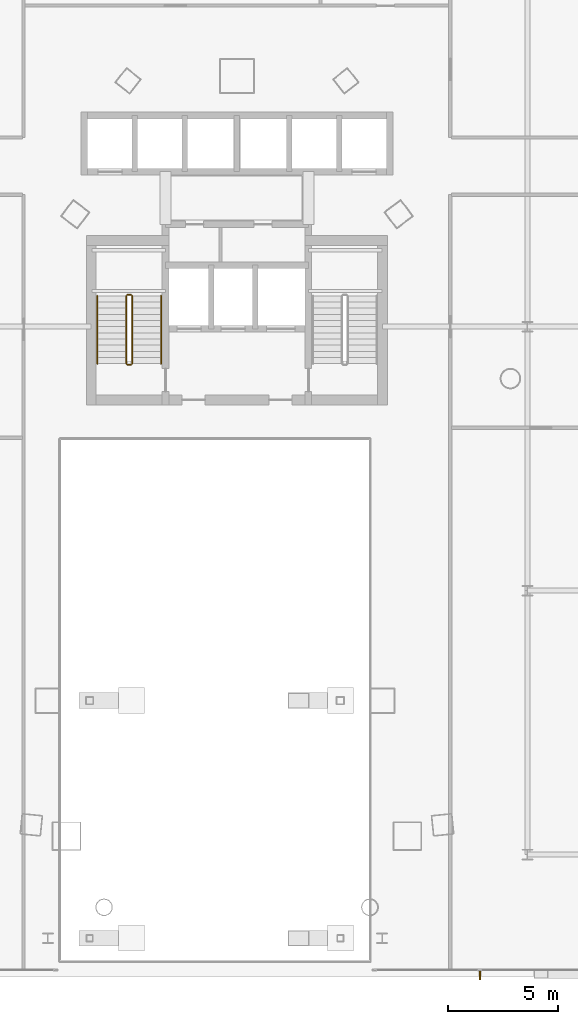
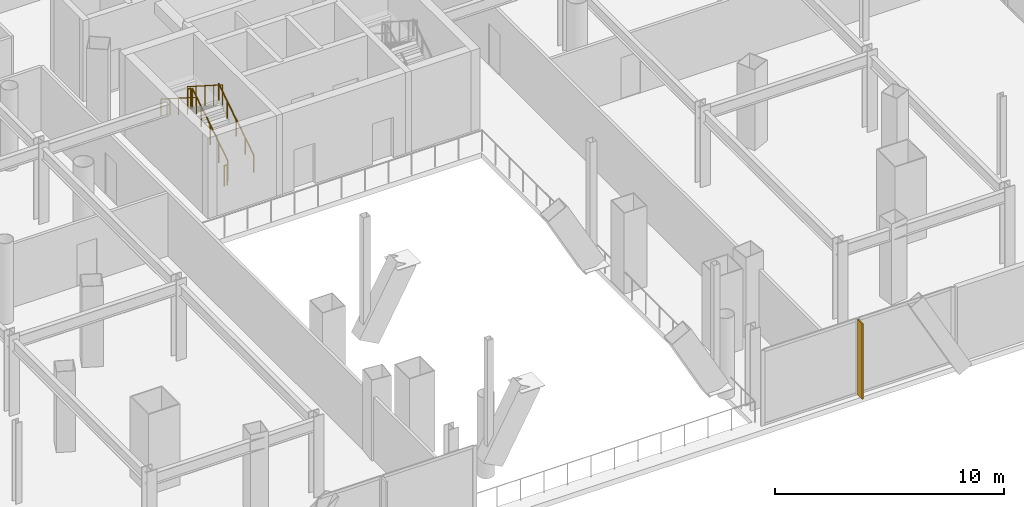
# One storey, part 37 of 42: 6 railings, 1 shading device.
"""IFC4 building model written with IfcOpenShell, lengths in metres."""

from ifc_helpers import new_model, si_unit, direction, frame, origin, origin_2d, place, context, subcontext, project, spatial, rectangle, circle, extrude, material, layer, layer_set, type_object, element, save


model = new_model("IFC4")

# Units and contexts
model_context = context("Model", 3, precision=1e-05, world=origin(), true_north=direction((0.0, 1.0)))
body_context = subcontext(model_context, "Body", "Model", "MODEL_VIEW")
ifc_project = project(units=[si_unit("LENGTHUNIT", "METRE"), si_unit("AREAUNIT", "SQUARE_METRE"), si_unit("VOLUMEUNIT", "CUBIC_METRE"), si_unit("PLANEANGLEUNIT", "RADIAN"), si_unit("MASSUNIT", "GRAM", prefix="KILO")], contexts=[model_context])

# Site, building, storey
site_placement = place(None, origin())
site = spatial("IfcSite", under=ifc_project, at=site_placement, CompositionType="ELEMENT")
building_placement = place(site_placement, origin())
building = spatial("IfcBuilding", under=site, at=building_placement, Name="Orvanel Arch Residences", CompositionType="ELEMENT")
storey_placement = place(building_placement, frame((0.0, 0.0, 5.5)))
storey = spatial("IfcBuildingStorey", under=building, at=storey_placement, Name="L01", CompositionType="ELEMENT", Elevation=5.5)

# Shading device
ifc_material_1 = material(Name="Bronze-anodised aluminium AA6063-T6", Category="aluminium")
ifc_layer = layer(ifc_material_1, 0.06494140625)
ifc_layer_set = layer_set([ifc_layer], Name="Bronze-anodised aluminium AA6063-T6")
shading_device_type = type_object("IfcShadingDeviceType", Name="FIN-BRZ-420", PredefinedType="USERDEFINED", material=ifc_layer_set)
shading_device_placement = place(storey_placement, frame((44.0400390625, 0.510009765625, 0.0), z_axis=(0.0, 0.0, 1.0), x_axis=(0.0, -1.0, 0.0)))
element("IfcShadingDevice", 1, at=shading_device_placement, inside=storey, type_object=shading_device_type, Name="L01 Anodised Bronze Mullion FIN 01", ObjectType="FIN", PredefinedType="USERDEFINED", context=body_context, shape_type="SweptSolid", body=[
    extrude(rectangle(XDim=0.419921875, YDim=0.06494140625, at=origin_2d()), origin(), (0.0, 0.0, 1.0), 4.02001953125),
])

# Railings
ifc_material_2 = material(Name="Structural steel AS/NZS 1163 C350L0 (Grade 350)", Category="steel")
railing_type_1 = type_object("IfcRailingType", Name="RL-STAIR-GUARD", PredefinedType="GUARDRAIL", material=ifc_material_2)
railing_1_placement = place(storey_placement, frame((28.22998046875, 28.320068359375, 0.17919921875)))
element("IfcRailing", 2, at=railing_1_placement, inside=storey, type_object=railing_type_1, Name="L01 ST-1 stair guard 1", PredefinedType="GUARDRAIL", context=body_context, shape_type="SweptSolid", body=[
    extrude(circle(Radius=0.02392578125, at=origin_2d()), frame((0.0, 0.001220703125, 1.076904296875), z_axis=(0.0, 0.842319903074, 0.538977903893), x_axis=(-1.0, 0.0, 0.0)), (0.0, 0.0, 1.0), 3.6533203125),
    extrude(circle(Radius=0.02099609375, at=origin_2d()), origin(), (0.0, 0.0, 1.0), 1.050048828125),
    extrude(circle(Radius=0.02099609375, at=origin_2d()), frame((0.0, 0.77001953125, 0.49267578125)), (0.0, 0.0, 1.0), 1.050048828125),
    extrude(circle(Radius=0.02099609375, at=origin_2d()), frame((0.0, 1.5400390625, 0.9853515625)), (0.0, 0.0, 1.0), 1.050048828125),
    extrude(circle(Radius=0.02099609375, at=origin_2d()), frame((0.0, 2.309814453125, 1.47802734375)), (0.0, 0.0, 1.0), 1.050048828125),
    extrude(circle(Radius=0.02099609375, at=origin_2d()), frame((0.0, 3.079833984375, 1.970703125)), (0.0, 0.0, 1.0), 1.050048828125),
])
railing_2_placement = place(storey_placement, frame((28.179931640625, 31.449951171875, 2.14990234375)))
element("IfcRailing", 3, at=railing_2_placement, inside=storey, type_object=railing_type_1, Name="L01 ST-1 stair guard 2", PredefinedType="GUARDRAIL", context=body_context, shape_type="SweptSolid", body=[
    extrude(circle(Radius=0.02392578125, at=origin_2d()), frame((-0.00146484375, 0.0, 1.076171875), z_axis=(-1.0, 0.0, 0.0), x_axis=(0.0, -1.0, 0.0)), (0.0, 0.0, 1.0), 0.156982421875),
    extrude(circle(Radius=0.02099609375, at=origin_2d()), origin(), (0.0, 0.0, 1.0), 1.050048828125),
    extrude(circle(Radius=0.02099609375, at=origin_2d()), frame((-0.159912109375, 0.0, 0.0)), (0.0, 0.0, 1.0), 1.050048828125),
])
railing_3_placement = place(storey_placement, frame((27.969970703125, 31.39990234375, 2.3291015625)))
element("IfcRailing", 4, at=railing_3_placement, inside=storey, type_object=railing_type_1, Name="L01 ST-1 stair guard 3", PredefinedType="GUARDRAIL", context=body_context, shape_type="SweptSolid", body=[
    extrude(circle(Radius=0.02392578125, at=origin_2d()), frame((0.0, -0.001220703125, 1.076904296875), z_axis=(0.0, -0.842289589211, 0.539025275759), x_axis=(1.0, 0.0, 0.0)), (0.0, 0.0, 1.0), 3.653564453125),
    extrude(circle(Radius=0.02099609375, at=origin_2d()), origin(), (0.0, 0.0, 1.0), 1.050048828125),
    extrude(circle(Radius=0.02099609375, at=origin_2d()), frame((0.0, -0.77001953125, 0.49267578125)), (0.0, 0.0, 1.0), 1.050048828125),
    extrude(circle(Radius=0.02099609375, at=origin_2d()), frame((0.0, -1.5400390625, 0.9853515625)), (0.0, 0.0, 1.0), 1.050048828125),
    extrude(circle(Radius=0.02099609375, at=origin_2d()), frame((0.0, -2.309814453125, 1.478271484375)), (0.0, 0.0, 1.0), 1.050048828125),
    extrude(circle(Radius=0.02099609375, at=origin_2d()), frame((0.0, -3.079833984375, 1.970947265625)), (0.0, 0.0, 1.0), 1.050048828125),
])
railing_4_placement = place(storey_placement, frame((28.179931640625, 28.27001953125, 0.0)))
element("IfcRailing", 5, at=railing_4_placement, inside=storey, type_object=railing_type_1, Name="L01 ST-1 stair guard 4", PredefinedType="GUARDRAIL", context=body_context, shape_type="SweptSolid", body=[
    extrude(circle(Radius=0.02392578125, at=origin_2d()), frame((-0.00146484375, 0.0, 1.076171875), z_axis=(-1.0, 0.0, 0.0), x_axis=(0.0, -1.0, 0.0)), (0.0, 0.0, 1.0), 0.156982421875),
    extrude(circle(Radius=0.02099609375, at=origin_2d()), origin(), (0.0, 0.0, 1.0), 1.050048828125),
    extrude(circle(Radius=0.02099609375, at=origin_2d()), frame((-0.159912109375, 0.0, 0.0)), (0.0, 0.0, 1.0), 1.050048828125),
])
railing_type_2 = type_object("IfcRailingType", Name="RL-STAIR-HAND", PredefinedType="HANDRAIL", material=ifc_material_2)
railing_5_placement = place(storey_placement, frame((29.550048828125, 28.320068359375, 0.17919921875)))
element("IfcRailing", 6, at=railing_5_placement, inside=storey, type_object=railing_type_2, Name="L01 ST-1 stair handrail 1", PredefinedType="HANDRAIL", context=body_context, shape_type="SweptSolid", body=[
    extrude(circle(Radius=0.02392578125, at=origin_2d()), frame((0.0, 0.001220703125, 0.876708984375), z_axis=(0.0, 0.842319903074, 0.538977903893), x_axis=(-1.0, 0.0, 0.0)), (0.0, 0.0, 1.0), 3.6533203125),
    extrude(circle(Radius=0.02099609375, at=origin_2d()), origin(), (0.0, 0.0, 1.0), 0.849853515625),
    extrude(circle(Radius=0.02099609375, at=origin_2d()), frame((0.0, 0.77001953125, 0.49267578125)), (0.0, 0.0, 1.0), 0.849853515625),
    extrude(circle(Radius=0.02099609375, at=origin_2d()), frame((0.0, 1.5400390625, 0.9853515625)), (0.0, 0.0, 1.0), 0.849853515625),
    extrude(circle(Radius=0.02099609375, at=origin_2d()), frame((0.0, 2.309814453125, 1.47802734375)), (0.0, 0.0, 1.0), 0.849853515625),
    extrude(circle(Radius=0.02099609375, at=origin_2d()), frame((0.0, 3.079833984375, 1.970703125)), (0.0, 0.0, 1.0), 0.849853515625),
])
railing_6_placement = place(storey_placement, frame((26.64990234375, 31.39990234375, 2.3291015625)))
element("IfcRailing", 7, at=railing_6_placement, inside=storey, type_object=railing_type_2, Name="L01 ST-1 stair handrail 2", PredefinedType="HANDRAIL", context=body_context, shape_type="SweptSolid", body=[
    extrude(circle(Radius=0.02392578125, at=origin_2d()), frame((0.0, -0.001220703125, 0.876708984375), z_axis=(0.0, -0.842289589211, 0.539025275759), x_axis=(1.0, 0.0, 0.0)), (0.0, 0.0, 1.0), 3.653564453125),
    extrude(circle(Radius=0.02099609375, at=origin_2d()), origin(), (0.0, 0.0, 1.0), 0.849853515625),
    extrude(circle(Radius=0.02099609375, at=origin_2d()), frame((0.0, -0.77001953125, 0.49267578125)), (0.0, 0.0, 1.0), 0.849853515625),
    extrude(circle(Radius=0.02099609375, at=origin_2d()), frame((0.0, -1.5400390625, 0.9853515625)), (0.0, 0.0, 1.0), 0.849853515625),
    extrude(circle(Radius=0.02099609375, at=origin_2d()), frame((0.0, -2.309814453125, 1.478271484375)), (0.0, 0.0, 1.0), 0.849853515625),
    extrude(circle(Radius=0.02099609375, at=origin_2d()), frame((0.0, -3.079833984375, 1.970947265625)), (0.0, 0.0, 1.0), 0.849853515625),
])

save(model, "model.ifc")
